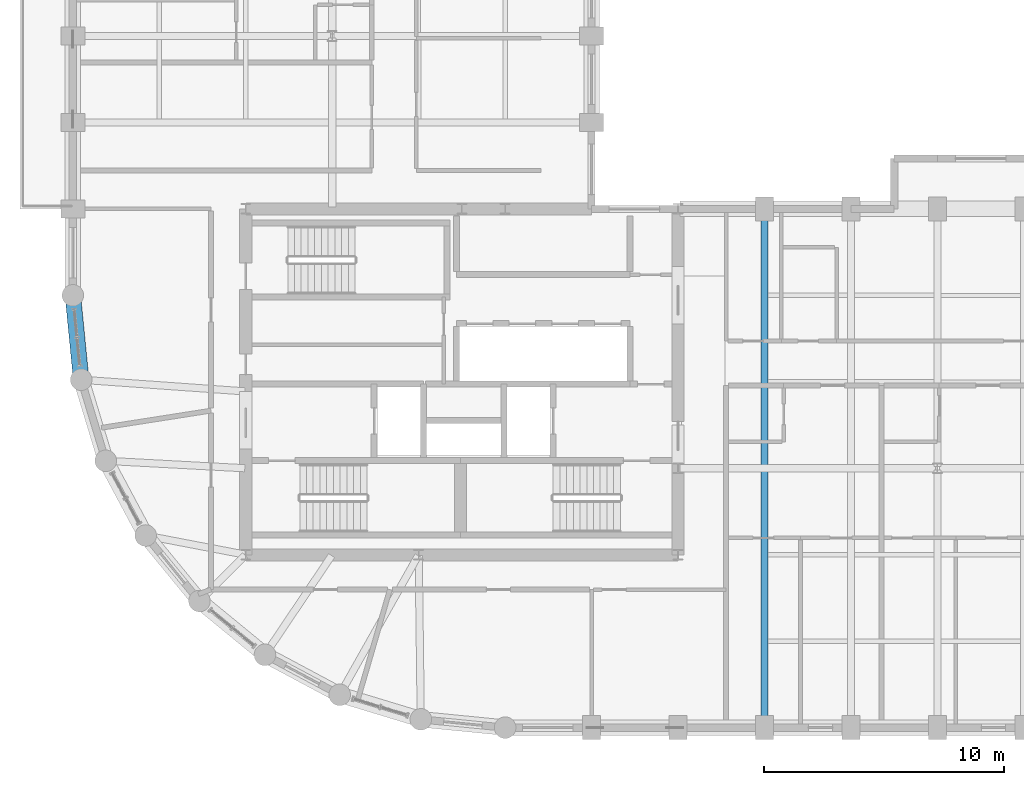
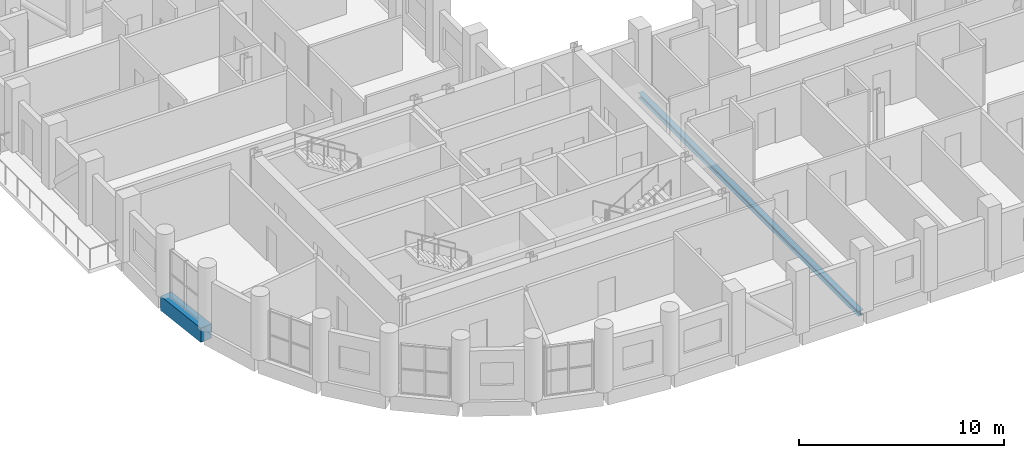
# One storey, part 5 of 15: 2 beams.
"""IFC4 building model written with IfcOpenShell, lengths in metres."""

from ifc_helpers import new_model, si_unit, direction, frame, origin, origin_2d, place, context, subcontext, project, spatial, rectangle, i_section, extrude, material, material_profile, profile_set, type_object, element, save


model = new_model("IFC4")

# Units and contexts
model_context = context("Model", 3, precision=1e-05, world=origin(), true_north=direction((0.0, 1.0)))
body_context = subcontext(model_context, "Body", "Model", "MODEL_VIEW")
ifc_project = project(units=[si_unit("LENGTHUNIT", "METRE"), si_unit("AREAUNIT", "SQUARE_METRE"), si_unit("VOLUMEUNIT", "CUBIC_METRE"), si_unit("PLANEANGLEUNIT", "RADIAN"), si_unit("MASSUNIT", "GRAM", prefix="KILO")], contexts=[model_context])

# Site, building, storey
site_placement = place(None, origin())
site = spatial("IfcSite", under=ifc_project, at=site_placement, CompositionType="ELEMENT")
building_placement = place(site_placement, origin())
building = spatial("IfcBuilding", under=site, at=building_placement, Name="Solnavia Interchange Tower", CompositionType="ELEMENT")
storey_placement = place(building_placement, frame((0.0, 0.0, 146.60009765625)))
storey = spatial("IfcBuildingStorey", under=building, at=storey_placement, Name="L36", CompositionType="ELEMENT", Elevation=146.60009765625)

# Beams
ifc_material_1 = material(Name="Steel S355", Category="steel")
ifc_material_profile_1 = material_profile(ifc_material_1, i_section(OverallWidth=0.300048828125, OverallDepth=0.31005859375, WebThickness=0.009033203125, FlangeThickness=0.015380859375, FilletRadius=0.027099609375, at=origin_2d()), Name="HEA 320")
ifc_profile_set_1 = profile_set([ifc_material_profile_1], Name="Steel S355")
beam_type_1 = type_object("IfcBeamType", Name="Beam-Primary-HEA320", PredefinedType="BEAM", material=ifc_profile_set_1)
beam_1_placement = place(storey_placement, frame((36.0, 3.679931640625, -0.405029296875), z_axis=(0.0, 1.0, 0.0), x_axis=(-1.0, 0.0, 0.0)))
element("IfcBeam", 1, at=beam_1_placement, inside=storey, type_object=beam_type_1, Name="GRD-L36-EW03 East wing primary floor girder", PredefinedType="BEAM", context=body_context, shape_type="SweptSolid", body=[
    extrude(i_section(OverallWidth=0.300048828125, OverallDepth=0.31005859375, WebThickness=0.009033203125, FlangeThickness=0.015380859375, FilletRadius=0.027099609375, at=origin_2d()), origin(), (0.0, 0.0, 1.0), 21.440185546875),
])
ifc_material_2 = material(Name="Concrete C50/60", Category="concrete")
ifc_material_profile_2 = material_profile(ifc_material_2, rectangle(XDim=0.64990234375, YDim=0.85009765625, at=origin_2d()), Name="RC 650x850")
ifc_profile_set_2 = profile_set([ifc_material_profile_2], Name="Concrete C50/60")
beam_type_2 = type_object("IfcBeamType", Name="Beam-Spandrel-RC650x850", PredefinedType="SPANDREL", material=ifc_profile_set_2)
beam_2_placement = place(storey_placement, frame((7.207763671875, 21.5205078125, -0.425048828125), z_axis=(0.098040038117, -0.995182471171, 0.0), x_axis=(0.995182471171, 0.098040038117, 0.0)))
element("IfcBeam", 2, at=beam_2_placement, inside=storey, type_object=beam_type_2, Name="SPB-L36-01 Framed-tube perimeter spandrel beam", PredefinedType="SPANDREL", context=body_context, shape_type="SweptSolid", body=[
    extrude(rectangle(XDim=0.64990234375, YDim=0.85009765625, at=origin_2d()), origin(), (0.0, 0.0, 1.0), 3.369140625),
])

save(model, "model.ifc")
